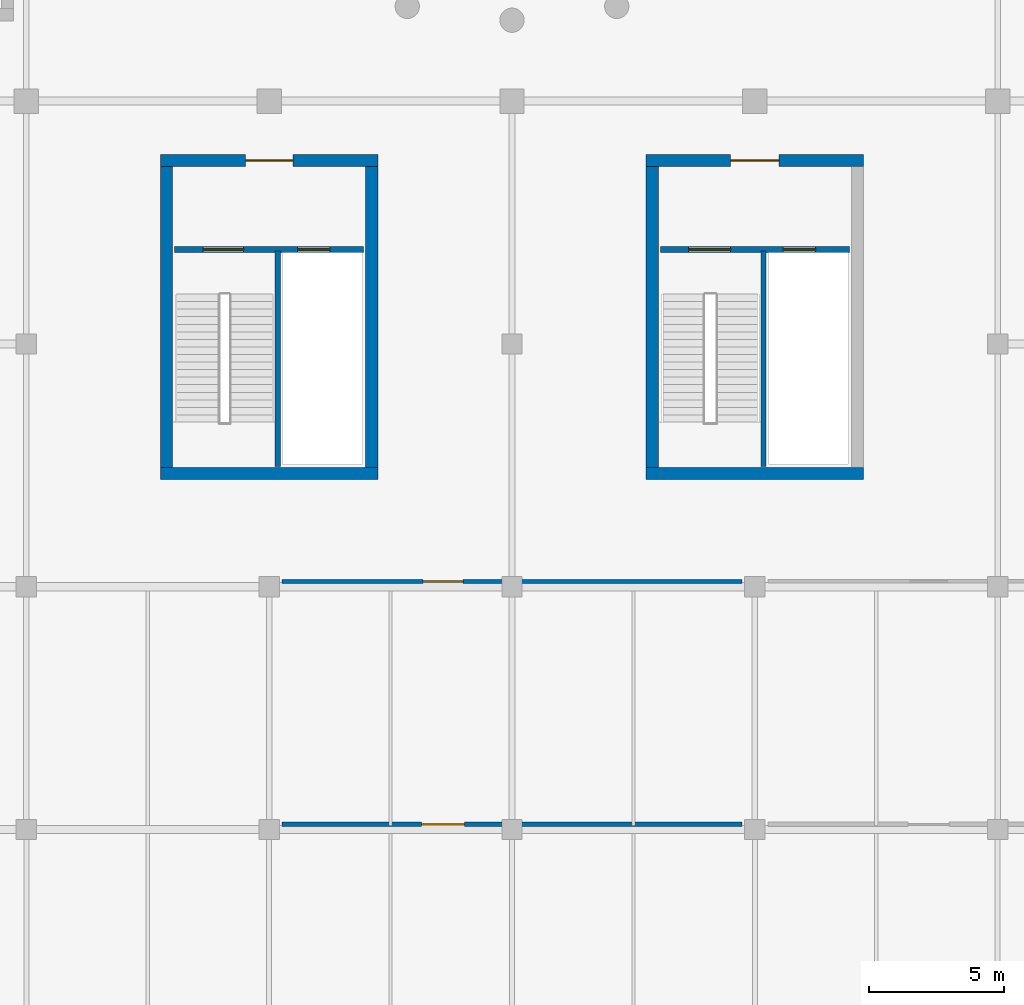
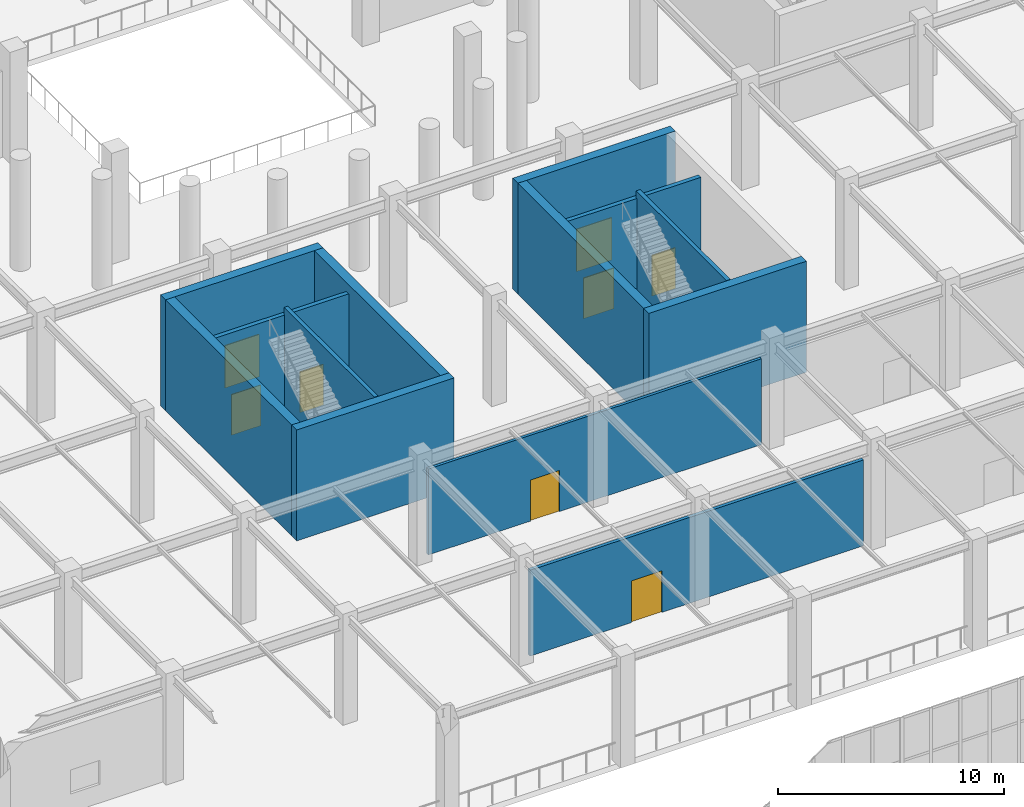
# One storey, part 189 of 223: 13 walls, 8 doors, 8 openings.
"""IFC4 building model written with IfcOpenShell, lengths in metres."""

import ifcopenshell
import ifcopenshell.guid

model = None  # the IFC model being written
_history = None  # IfcOwnerHistory: only IFC2X3 demands one
_inside = {}  # id of a spatial element -> (the spatial element, [elements in it])
_under = {}  # id of a project, library or spatial element -> (it, [spatial elements below it])
_declared = {}  # id of a project -> (the project, [libraries it declares])
_typed = {}  # id of a type object -> (the type object, [elements of that type])
_made_of = {}  # id of a material, layer set ... -> (it, [elements and type objects made of it])


def new_model(schema):
    """Start an empty IFC model of exactly this schema.

    Asked for "IFC4X3", IfcOpenShell would pick the latest addendum, in which some entities
    have other attributes; the version numbers below select the first issue.
    IFC2X3 requires an IfcOwnerHistory on every rooted entity: one is made here for all.
    """
    global model, _history
    if schema == "IFC4X3":
        model = ifcopenshell.file(schema_version=(4, 3, 0, 0))
    else:
        model = ifcopenshell.file(schema=schema)
    _inside.clear()
    _under.clear()
    _declared.clear()
    _typed.clear()
    _made_of.clear()
    _history = None
    if model.schema == "IFC2X3":
        org = make("IfcOrganization", Name="unknown")
        user = make(
            "IfcPersonAndOrganization",
            ThePerson=make("IfcPerson", FamilyName="unknown"),
            TheOrganization=org,
        )
        app = make(
            "IfcApplication",
            ApplicationDeveloper=org,
            Version="unknown",
            ApplicationFullName="unknown",
            ApplicationIdentifier="unknown",
        )
        _history = make(
            "IfcOwnerHistory",
            OwningUser=user,
            OwningApplication=app,
            ChangeAction="ADDED",
            CreationDate=0,
        )
    return model


def make(cls, **values):
    """One entity of the class cls with the attributes given. An attribute that is None is left unset."""
    return model.create_entity(
        cls, **{name: value for name, value in values.items() if value is not None}
    )


def rooted(cls, **values):
    """An entity with a GlobalId (a new one), such as an element, a storey or a relation."""
    return make(cls, GlobalId=ifcopenshell.guid.new(), OwnerHistory=_history, **values)


def si_unit(unit_type, name, prefix=None):
    """IfcSIUnit, for example si_unit("LENGTHUNIT", "METRE", prefix="MILLI")."""
    return make("IfcSIUnit", UnitType=unit_type, Prefix=prefix, Name=name)


def assignment(units):
    """IfcUnitAssignment: the units of a project."""
    return None if units is None else make("IfcUnitAssignment", Units=units)


def point(xyz):
    """IfcCartesianPoint."""
    return None if xyz is None else make("IfcCartesianPoint", Coordinates=xyz)


def direction(xyz):
    """IfcDirection."""
    return None if xyz is None else make("IfcDirection", DirectionRatios=xyz)


def frame(location, z_axis=None, x_axis=None):
    """IfcAxis2Placement3D, a coordinate frame: its origin and axes. An axis left out is left unset."""
    return make(
        "IfcAxis2Placement3D",
        Location=point(location),
        Axis=direction(z_axis),
        RefDirection=direction(x_axis),
    )


def frame_2d(location, x_axis=None):
    """IfcAxis2Placement2D, a coordinate frame in the plane: its origin and x axis."""
    return make(
        "IfcAxis2Placement2D", Location=point(location), RefDirection=direction(x_axis)
    )


def origin():
    """The frame at (0, 0, 0) with its axes left unset."""
    return frame((0.0, 0.0, 0.0))


def place(relative_to, where):
    """IfcLocalPlacement: puts the frame where relative to a parent placement (None: the world)."""
    return make(
        "IfcLocalPlacement", PlacementRelTo=relative_to, RelativePlacement=where
    )


def context(
    kind, dimensions, precision=None, world=None, true_north=None, identifier=None
):
    """IfcGeometricRepresentationContext, for example the 3D "Model" context."""
    return make(
        "IfcGeometricRepresentationContext",
        ContextIdentifier=identifier,
        ContextType=kind,
        CoordinateSpaceDimension=dimensions,
        Precision=precision,
        WorldCoordinateSystem=world,
        TrueNorth=true_north,
    )


def subcontext(parent, identifier, kind, view, scale=None):
    """IfcGeometricRepresentationSubContext, for example "Body" below "Model"."""
    return make(
        "IfcGeometricRepresentationSubContext",
        ContextIdentifier=identifier,
        ContextType=kind,
        ParentContext=parent,
        TargetScale=scale,
        TargetView=view,
    )


def project(units=None, contexts=None):
    """IfcProject with its units and contexts."""
    return rooted(
        "IfcProject",
        Name="project",
        RepresentationContexts=contexts,
        UnitsInContext=assignment(units),
    )


def spatial(cls, under=None, at=None, **own):
    """A site, building, storey or space (cls), placed at a placement, below another one or the project."""
    s = rooted(cls, ObjectPlacement=at, **own)
    if under is not None:
        _under.setdefault(under.id(), (under, []))[1].append(s)
    return s


def profile(cls, at=None, kind="AREA", **sizes):
    """A parametric profile (cls). Its sizes go by their IFC names, for example OverallWidth=200.0."""
    return make(cls, ProfileType=kind, Position=at, **sizes)


def rectangle(**sizes):
    """IfcRectangleProfileDef."""
    return profile("IfcRectangleProfileDef", **sizes)


def extrude(swept, where, along, depth):
    """IfcExtrudedAreaSolid: the profile swept, set in the frame where, extruded along a direction by depth."""
    return make(
        "IfcExtrudedAreaSolid",
        SweptArea=swept,
        Position=where,
        ExtrudedDirection=direction(along),
        Depth=depth,
    )


def shape(context_of_items, identifier, shape_type, items):
    """IfcShapeRepresentation: the items that make up one representation, for example the "Body"."""
    return make(
        "IfcShapeRepresentation",
        ContextOfItems=context_of_items,
        RepresentationIdentifier=identifier,
        RepresentationType=shape_type,
        Items=items,
    )


def material(Name=None, Category=None):
    """IfcMaterial."""
    return make("IfcMaterial", Name=Name, Category=Category)


def layer(
    of_material, thickness, ventilated=None, Name=None, Category=None, Priority=None
):
    """IfcMaterialLayer: one layer of a wall or slab, of a material (None: an air gap)."""
    return make(
        "IfcMaterialLayer",
        Material=of_material,
        LayerThickness=thickness,
        IsVentilated=ventilated,
        Name=Name,
        Category=Category,
        Priority=Priority,
    )


def layer_set(layers, Name=None):
    """IfcMaterialLayerSet."""
    return make("IfcMaterialLayerSet", MaterialLayers=layers, LayerSetName=Name)


def made_of(thing, what):
    """Note that an element or type object is made of a material, layer set ...; save() writes the relation."""
    if what is not None:
        _made_of.setdefault(what.id(), (what, []))[1].append(thing)
    return thing


def type_object(cls, material=None, **own):
    """A type object (cls), such as IfcWallType, which elements share."""
    return made_of(rooted(cls, **own), material)


def element(
    cls,
    number,
    at=None,
    inside=None,
    cuts=None,
    type_object=None,
    material=None,
    context=None,
    identifier="Body",
    shape_type=None,
    held_by="IfcProductDefinitionShape",
    body=None,
    shapes=None,
    **own,
):
    """One element of the class cls, such as IfcWall. Its Tag is "e" and its number.

    at: its placement. inside: the storey or other place that contains it. cuts: it is an
    opening in that element (IfcRelVoidsElement). A single representation is given by context,
    identifier, shape_type and body (its items); several are given by shapes. held_by: the class
    of the entity that holds the representations. save() writes the other relations.
    """
    e = rooted(cls, Tag="e%d" % number, ObjectPlacement=at, **own)
    if body is not None:
        shapes = [shape(context, identifier, shape_type, body)]
    if shapes is not None:
        e.Representation = make(held_by, Representations=shapes)
    if inside is not None:
        _inside.setdefault(inside.id(), (inside, []))[1].append(e)
    if cuts is not None:
        rooted(
            "IfcRelVoidsElement", RelatingBuildingElement=cuts, RelatedOpeningElement=e
        )
    if type_object is not None:
        _typed.setdefault(type_object.id(), (type_object, []))[1].append(e)
    return made_of(e, material)


def fill(opening, filler):
    """IfcRelFillsElement: the door or window that sits in an opening."""
    return rooted(
        "IfcRelFillsElement",
        RelatingOpeningElement=opening,
        RelatedBuildingElement=filler,
    )


def aggregate(whole, parts):
    """IfcRelAggregates: a whole, such as a stair, and the parts it consists of."""
    return rooted("IfcRelAggregates", RelatingObject=whole, RelatedObjects=parts)


def save(model, path):
    """Write the relations noted so far, then the file.

    IfcRelAggregates (storeys below a building ...), IfcRelContainedInSpatialStructure (elements
    in a storey), IfcRelDefinesByType, IfcRelAssociatesMaterial and IfcRelDeclares: one each for
    every whole, place, type object, material and project.
    """
    for whole, parts in _under.values():
        aggregate(whole, parts)
    for where, things in _inside.values():
        rooted(
            "IfcRelContainedInSpatialStructure",
            RelatedElements=things,
            RelatingStructure=where,
        )
    for kind, things in _typed.values():
        rooted("IfcRelDefinesByType", RelatedObjects=things, RelatingType=kind)
    for what, things in _made_of.values():
        rooted("IfcRelAssociatesMaterial", RelatedObjects=things, RelatingMaterial=what)
    for by, libraries in _declared.values():
        rooted("IfcRelDeclares", RelatingContext=by, RelatedDefinitions=libraries)
    model.write(path)


model = new_model("IFC4")

# Units and contexts
model_context = context("Model", 3, precision=1e-05, world=origin(), true_north=direction((0.0, 1.0)))
body_context = subcontext(model_context, "Body", "Model", "MODEL_VIEW")
ifc_project = project(units=[si_unit("LENGTHUNIT", "METRE"), si_unit("AREAUNIT", "SQUARE_METRE"), si_unit("VOLUMEUNIT", "CUBIC_METRE"), si_unit("PLANEANGLEUNIT", "RADIAN"), si_unit("MASSUNIT", "GRAM", prefix="KILO")], contexts=[model_context])

# Site, building, storey
site_placement = place(None, origin())
site = spatial("IfcSite", under=ifc_project, at=site_placement, CompositionType="ELEMENT")
building_placement = place(site_placement, origin())
building = spatial("IfcBuilding", under=site, at=building_placement, Name="Dornveld Trade and Exhibition Forum", CompositionType="ELEMENT")
storey_placement = place(building_placement, frame((0.0, 0.0, 6.0)))
storey = spatial("IfcBuildingStorey", under=building, at=storey_placement, Name="L01", CompositionType="ELEMENT", Elevation=6.0)

# Wall
ifc_material_1 = material(Name="Concrete C40/50", Category="concrete")
ifc_layer_1 = layer(ifc_material_1, 0.449951171875)
ifc_layer_set_1 = layer_set([ifc_layer_1], Name="Concrete C40/50")
wall_type_1 = type_object("IfcWallType", Name="WL-CORE-450", PredefinedType="SHEAR", material=ifc_layer_set_1)
wall_1_placement = place(storey_placement, frame((103.97509765625, 49.199951171875, 0.0), z_axis=(0.0, 0.0, 1.0), x_axis=(1.0, 0.0, 0.0)))
element("IfcWall", 1, at=wall_1_placement, inside=storey, type_object=wall_type_1, Name="CORE-06 L01 shear wall S", PredefinedType="SHEAR", context=body_context, shape_type="SweptSolid", body=[
    extrude(rectangle(XDim=8.0498046875, YDim=0.449951171875, at=frame_2d((4.02490234375, 0.0))), origin(), (0.0, 0.0, 1.0), 6.0),
])

# Wall, opening, door
wall_2_placement = place(storey_placement, frame((103.97509765625, 60.800048828125, 0.0), z_axis=(0.0, 0.0, 1.0), x_axis=(1.0, 0.0, 0.0)))
wall_2 = element("IfcWall", 2, at=wall_2_placement, inside=storey, type_object=wall_type_1, Name="CORE-06 L01 shear wall N", PredefinedType="SHEAR", context=body_context, shape_type="SweptSolid", body=[
    extrude(rectangle(XDim=8.0498046875, YDim=0.449951171875, at=frame_2d((4.02490234375, 0.0))), origin(), (0.0, 0.0, 1.0), 6.0),
])
opening_1_placement = place(wall_2_placement, frame((3.14990234375, 0.0, 0.0)))
opening_1 = element("IfcOpeningElement", 3, at=opening_1_placement, cuts=wall_2, Name="Opening CD-06-L01", PredefinedType="OPENING", context=body_context, shape_type="SweptSolid", body=[
    extrude(rectangle(XDim=1.75, YDim=2.300048828125, at=frame_2d((0.875, 1.14990234375))), frame((0.0, 0.23486328125, 0.0), z_axis=(0.0, -1.0, 0.0), x_axis=(1.0, 0.0, 0.0)), (0.0, 0.0, 1.0), 0.469970703125),
])
ifc_material_2 = material(Name="Steel fire-rated double door assembly", Category="steel")
door_type_1 = type_object("IfcDoorType", Name="DR-CORE-175x230", OperationType="NOTDEFINED", PredefinedType="DOOR", material=ifc_material_2)
door_1_placement = place(opening_1_placement, origin())
door_1 = element("IfcDoor", 4, at=door_1_placement, inside=storey, type_object=door_type_1, Name="CORE-06 L01 core lobby double fire door", OperationType="DOUBLE_DOOR_SINGLE_SWING", OverallHeight=2.300048828125, OverallWidth=1.75, PredefinedType="DOOR", context=body_context, shape_type="SweptSolid", body=[
    extrude(rectangle(XDim=1.75, YDim=2.300048828125, at=frame_2d((0.875, 1.14990234375))), frame((0.0, 0.02490234375, 0.0), z_axis=(0.0, -1.0, 0.0), x_axis=(1.0, 0.0, 0.0)), (0.0, 0.0, 1.0), 0.050048828125),
])
fill(opening_1, door_1)

# Walls
for number, where, z_axis, x_axis, name in (
    (5, (104.199951171875, 49.425048828125, 0.0), (0.0, 0.0, 1.0), (0.0, 1.0, 0.0), "CORE-06 L01 shear wall W"),
    (6, (111.800048828125, 49.425048828125, 0.0), (0.0, 0.0, 1.0), (0.0, 1.0, 0.0), "CORE-06 L01 shear wall E"),
):
    element("IfcWall", number, at=place(storey_placement, frame(where, z_axis=z_axis, x_axis=x_axis)), inside=storey, type_object=wall_type_1, Name=name, PredefinedType="SHEAR", context=body_context, shape_type="SweptSolid", body=[
        extrude(rectangle(XDim=11.14990234375, YDim=0.449951171875, at=frame_2d((5.574951171875, 0.0))), origin(), (0.0, 0.0, 1.0), 6.0),
    ])
wall_3_placement = place(storey_placement, frame((121.97509765625, 49.199951171875, 0.0), z_axis=(0.0, 0.0, 1.0), x_axis=(1.0, 0.0, 0.0)))
element("IfcWall", 7, at=wall_3_placement, inside=storey, type_object=wall_type_1, Name="CORE-07 L01 shear wall S", PredefinedType="SHEAR", context=body_context, shape_type="SweptSolid", body=[
    extrude(rectangle(XDim=8.0498046875, YDim=0.449951171875, at=frame_2d((4.02490234375, 0.0))), origin(), (0.0, 0.0, 1.0), 6.0),
])

# Wall, opening, door
wall_4_placement = place(storey_placement, frame((121.97509765625, 60.800048828125, 0.0), z_axis=(0.0, 0.0, 1.0), x_axis=(1.0, 0.0, 0.0)))
wall_4 = element("IfcWall", 8, at=wall_4_placement, inside=storey, type_object=wall_type_1, Name="CORE-07 L01 shear wall N", PredefinedType="SHEAR", context=body_context, shape_type="SweptSolid", body=[
    extrude(rectangle(XDim=8.0498046875, YDim=0.449951171875, at=frame_2d((4.02490234375, 0.0))), origin(), (0.0, 0.0, 1.0), 6.0),
])
opening_2_placement = place(wall_4_placement, frame((3.125, 0.0, 0.0)))
opening_2 = element("IfcOpeningElement", 9, at=opening_2_placement, cuts=wall_4, Name="Opening CD-07-L01", PredefinedType="OPENING", context=body_context, shape_type="SweptSolid", body=[
    extrude(rectangle(XDim=1.800048828125, YDim=2.300048828125, at=frame_2d((0.89990234375, 1.14990234375))), frame((0.0, 0.23486328125, 0.0), z_axis=(0.0, -1.0, 0.0), x_axis=(1.0, 0.0, 0.0)), (0.0, 0.0, 1.0), 0.469970703125),
])
ifc_material_3 = material(Name="Steel fire-rated double door assembly", Category="steel")
door_type_2 = type_object("IfcDoorType", Name="DR-CORE-180x230", OperationType="NOTDEFINED", PredefinedType="DOOR", material=ifc_material_3)
door_2_placement = place(opening_2_placement, origin())
door_2 = element("IfcDoor", 10, at=door_2_placement, inside=storey, type_object=door_type_2, Name="CORE-07 L01 core lobby double fire door", OperationType="DOUBLE_DOOR_SINGLE_SWING", OverallHeight=2.300048828125, OverallWidth=1.800048828125, PredefinedType="DOOR", context=body_context, shape_type="SweptSolid", body=[
    extrude(rectangle(XDim=1.800048828125, YDim=2.300048828125, at=frame_2d((0.89990234375, 1.14990234375))), frame((0.0, 0.02490234375, 0.0), z_axis=(0.0, -1.0, 0.0), x_axis=(1.0, 0.0, 0.0)), (0.0, 0.0, 1.0), 0.050048828125),
])
fill(opening_2, door_2)

# Wall
wall_5_placement = place(storey_placement, frame((122.199951171875, 49.425048828125, 0.0), z_axis=(0.0, 0.0, 1.0), x_axis=(0.0, 1.0, 0.0)))
element("IfcWall", 11, at=wall_5_placement, inside=storey, type_object=wall_type_1, Name="CORE-07 L01 shear wall W", PredefinedType="SHEAR", context=body_context, shape_type="SweptSolid", body=[
    extrude(rectangle(XDim=11.14990234375, YDim=0.449951171875, at=frame_2d((5.574951171875, 0.0))), origin(), (0.0, 0.0, 1.0), 6.0),
])

# Wall, opening, door
ifc_material_4 = material(Name="Fire-rated steel-stud gypsum board", Category="steel")
ifc_layer_2 = layer(ifc_material_4, 0.169921875)
ifc_layer_set_2 = layer_set([ifc_layer_2], Name="Fire-rated steel-stud gypsum board")
wall_type_2 = type_object("IfcWallType", Name="WL-INT-FR170", PredefinedType="PARTITIONING", material=ifc_layer_set_2)
wall_6_placement = place(storey_placement, frame((108.47998046875, 36.199951171875, 0.0), z_axis=(0.0, 0.0, 1.0), x_axis=(1.0, 0.0, 0.0)))
wall_6 = element("IfcWall", 12, at=wall_6_placement, inside=storey, type_object=wall_type_2, Name="L01 interior partition 102", PredefinedType="PARTITIONING", context=body_context, shape_type="SweptSolid", body=[
    extrude(rectangle(XDim=17.0400390625, YDim=0.169921875, at=frame_2d((8.52001953125, 0.0))), origin(), (0.0, 0.0, 1.0), 4.639892578125),
])
opening_3_placement = place(wall_6_placement, frame((5.174072265625, 0.0, 0.0)))
opening_3 = element("IfcOpeningElement", 13, at=opening_3_placement, cuts=wall_6, Name="Opening MSD-06-067", PredefinedType="OPENING", context=body_context, shape_type="SweptSolid", body=[
    extrude(rectangle(XDim=1.580078125, YDim=2.25, at=frame_2d((0.7900390625, 1.125))), frame((0.0, 0.094970703125, 0.0), z_axis=(0.0, -1.0, 0.0), x_axis=(1.0, 0.0, 0.0)), (0.0, 0.0, 1.0), 0.18994140625),
])
ifc_material_5 = material(Name="Acoustic seminar double door", Category="wood")
door_type_3 = type_object("IfcDoorType", Name="DR-SUB-158x225", OperationType="NOTDEFINED", PredefinedType="DOOR", material=ifc_material_5)
door_3_placement = place(opening_3_placement, origin())
door_3 = element("IfcDoor", 14, at=door_3_placement, inside=storey, type_object=door_type_3, Name="L01 interior room door 67", OperationType="SINGLE_SWING_LEFT", OverallHeight=2.25, OverallWidth=1.580078125, PredefinedType="DOOR", context=body_context, shape_type="SweptSolid", body=[
    extrude(rectangle(XDim=1.580078125, YDim=2.25, at=frame_2d((0.7900390625, 1.125))), frame((0.0, 0.02490234375, 0.0), z_axis=(0.0, -1.0, 0.0), x_axis=(1.0, 0.0, 0.0)), (0.0, 0.0, 1.0), 0.050048828125),
])
fill(opening_3, door_3)

# Wall, openings, doors
ifc_material_6 = material(Name="Concrete C40/50", Category="concrete")
ifc_layer_3 = layer(ifc_material_6, 0.219970703125)
ifc_layer_set_3 = layer_set([ifc_layer_3], Name="Concrete C40/50")
wall_type_3 = type_object("IfcWallType", Name="WL-INT-LOB220", PredefinedType="SOLIDWALL", material=ifc_layer_set_3)
wall_7_placement = place(storey_placement, frame((104.5, 57.5, 0.0), z_axis=(0.0, 0.0, 1.0), x_axis=(1.0, 0.0, 0.0)))
wall_7 = element("IfcWall", 15, at=wall_7_placement, inside=storey, type_object=wall_type_3, Name="CORE-06 L01 protected lobby bulkhead wall", PredefinedType="SOLIDWALL", context=body_context, shape_type="SweptSolid", body=[
    extrude(rectangle(XDim=7.0, YDim=0.219970703125, at=frame_2d((3.5, 0.0))), origin(), (0.0, 0.0, 1.0), 5.6201171875),
])
opening_4_placement = place(wall_7_placement, frame((1.050048828125, 0.0, 0.0)))
opening_4 = element("IfcOpeningElement", 16, at=opening_4_placement, cuts=wall_7, Name="Opening SD-06-L01", PredefinedType="OPENING", context=body_context, shape_type="SweptSolid", body=[
    extrude(rectangle(XDim=1.5, YDim=2.199951171875, at=frame_2d((0.75, 1.10009765625))), frame((0.0, 0.119873046875, 0.0), z_axis=(0.0, -1.0, 0.0), x_axis=(1.0, 0.0, 0.0)), (0.0, 0.0, 1.0), 0.239990234375),
])
opening_5_placement = place(wall_7_placement, frame((4.550048828125, 0.0, 0.0)))
opening_5 = element("IfcOpeningElement", 17, at=opening_5_placement, cuts=wall_7, Name="Opening LD-06-L01", PredefinedType="OPENING", context=body_context, shape_type="SweptSolid", body=[
    extrude(rectangle(XDim=1.199951171875, YDim=2.199951171875, at=frame_2d((0.60009765625, 1.10009765625))), frame((0.0, 0.119873046875, 0.0), z_axis=(0.0, -1.0, 0.0), x_axis=(1.0, 0.0, 0.0)), (0.0, 0.0, 1.0), 0.239990234375),
])
ifc_material_7 = material(Name="Brushed stainless steel sliding lift landing door", Category="steel")
door_type_4 = type_object("IfcDoorType", Name="DR-LIFT-120x220", OperationType="NOTDEFINED", PredefinedType="DOOR", material=ifc_material_7)
door_4_placement = place(opening_5_placement, origin())
door_4 = element("IfcDoor", 18, at=door_4_placement, inside=storey, type_object=door_type_4, Name="CORE-06 L01 lift sliding landing door", OperationType="SLIDING_TO_RIGHT", OverallHeight=2.199951171875, OverallWidth=1.199951171875, PredefinedType="DOOR", context=body_context, shape_type="SweptSolid", body=[
    extrude(rectangle(XDim=1.199951171875, YDim=2.199951171875, at=frame_2d((0.60009765625, 1.10009765625))), frame((0.0, 0.02490234375, 0.0), z_axis=(0.0, -1.0, 0.0), x_axis=(1.0, 0.0, 0.0)), (0.0, 0.0, 1.0), 0.050048828125),
])
fill(opening_5, door_4)
ifc_material_8 = material(Name="Steel fire-rated stair door assembly", Category="steel")
door_type_5 = type_object("IfcDoorType", Name="DR-STAIR-150x220", OperationType="NOTDEFINED", PredefinedType="DOOR", material=ifc_material_8)
door_5_placement = place(opening_4_placement, origin())
door_5 = element("IfcDoor", 19, at=door_5_placement, inside=storey, type_object=door_type_5, Name="CORE-06 L01 protected stair door", OperationType="SINGLE_SWING_RIGHT", OverallHeight=2.199951171875, OverallWidth=1.5, PredefinedType="DOOR", context=body_context, shape_type="SweptSolid", body=[
    extrude(rectangle(XDim=1.5, YDim=2.199951171875, at=frame_2d((0.75, 1.10009765625))), frame((0.0, 0.02490234375, 0.0), z_axis=(0.0, -1.0, 0.0), x_axis=(1.0, 0.0, 0.0)), (0.0, 0.0, 1.0), 0.050048828125),
])
fill(opening_4, door_5)

wall_8_placement = place(storey_placement, frame((122.5, 57.5, 0.0), z_axis=(0.0, 0.0, 1.0), x_axis=(1.0, 0.0, 0.0)))
wall_8 = element("IfcWall", 20, at=wall_8_placement, inside=storey, type_object=wall_type_3, Name="CORE-07 L01 protected lobby bulkhead wall", PredefinedType="SOLIDWALL", context=body_context, shape_type="SweptSolid", body=[
    extrude(rectangle(XDim=7.0, YDim=0.219970703125, at=frame_2d((3.5, 0.0))), origin(), (0.0, 0.0, 1.0), 5.6201171875),
])
opening_6_placement = place(wall_8_placement, frame((1.050048828125, 0.0, 0.0)))
opening_6 = element("IfcOpeningElement", 21, at=opening_6_placement, cuts=wall_8, Name="Opening SD-07-L01", PredefinedType="OPENING", context=body_context, shape_type="SweptSolid", body=[
    extrude(rectangle(XDim=1.550048828125, YDim=2.199951171875, at=frame_2d((0.77490234375, 1.10009765625))), frame((0.0, 0.119873046875, 0.0), z_axis=(0.0, -1.0, 0.0), x_axis=(1.0, 0.0, 0.0)), (0.0, 0.0, 1.0), 0.239990234375),
])
opening_7_placement = place(wall_8_placement, frame((4.550048828125, 0.0, 0.0)))
opening_7 = element("IfcOpeningElement", 22, at=opening_7_placement, cuts=wall_8, Name="Opening LD-07-L01", PredefinedType="OPENING", context=body_context, shape_type="SweptSolid", body=[
    extrude(rectangle(XDim=1.199951171875, YDim=2.199951171875, at=frame_2d((0.60009765625, 1.10009765625))), frame((0.0, 0.119873046875, 0.0), z_axis=(0.0, -1.0, 0.0), x_axis=(1.0, 0.0, 0.0)), (0.0, 0.0, 1.0), 0.239990234375),
])
door_6_placement = place(opening_7_placement, origin())
door_6 = element("IfcDoor", 23, at=door_6_placement, inside=storey, type_object=door_type_4, Name="CORE-07 L01 lift sliding landing door", OperationType="SLIDING_TO_LEFT", OverallHeight=2.199951171875, OverallWidth=1.199951171875, PredefinedType="DOOR", context=body_context, shape_type="SweptSolid", body=[
    extrude(rectangle(XDim=1.199951171875, YDim=2.199951171875, at=frame_2d((0.60009765625, 1.10009765625))), frame((0.0, 0.02490234375, 0.0), z_axis=(0.0, -1.0, 0.0), x_axis=(1.0, 0.0, 0.0)), (0.0, 0.0, 1.0), 0.050048828125),
])
fill(opening_7, door_6)
ifc_material_9 = material(Name="Steel fire-rated stair door assembly", Category="steel")
door_type_6 = type_object("IfcDoorType", Name="DR-STAIR-155x220", OperationType="NOTDEFINED", PredefinedType="DOOR", material=ifc_material_9)
door_7_placement = place(opening_6_placement, origin())
door_7 = element("IfcDoor", 24, at=door_7_placement, inside=storey, type_object=door_type_6, Name="CORE-07 L01 protected stair door", OperationType="SINGLE_SWING_LEFT", OverallHeight=2.199951171875, OverallWidth=1.550048828125, PredefinedType="DOOR", context=body_context, shape_type="SweptSolid", body=[
    extrude(rectangle(XDim=1.550048828125, YDim=2.199951171875, at=frame_2d((0.77490234375, 1.10009765625))), frame((0.0, 0.02490234375, 0.0), z_axis=(0.0, -1.0, 0.0), x_axis=(1.0, 0.0, 0.0)), (0.0, 0.0, 1.0), 0.050048828125),
])
fill(opening_6, door_7)

# Walls
ifc_material_10 = material(Name="Concrete C40/50", Category="concrete")
ifc_layer_4 = layer(ifc_material_10, 0.199951171875)
ifc_layer_set_4 = layer_set([ifc_layer_4], Name="Concrete C40/50")
wall_type_4 = type_object("IfcWallType", Name="WL-INT-SHAFT200", PredefinedType="SOLIDWALL", material=ifc_layer_set_4)
for number, where, z_axis, x_axis, name in (
    (25, (108.320068359375, 49.449951171875, 0.0), (0.0, 0.0, 1.0), (0.0, 1.0, 0.0), "CORE-06 L01 lift-stair structural shaft wall"),
    (26, (126.320068359375, 49.449951171875, 0.0), (0.0, 0.0, 1.0), (0.0, 1.0, 0.0), "CORE-07 L01 lift-stair structural shaft wall"),
):
    element("IfcWall", number, at=place(storey_placement, frame(where, z_axis=z_axis, x_axis=x_axis)), inside=storey, type_object=wall_type_4, Name=name, PredefinedType="SOLIDWALL", context=body_context, shape_type="SweptSolid", body=[
        extrude(rectangle(XDim=8.0, YDim=0.199951171875, at=frame_2d((4.0, 0.0))), origin(), (0.0, 0.0, 1.0), 6.0),
    ])

# Wall, opening, door
ifc_material_11 = material(Name="Steel-stud gypsum partition", Category="steel")
ifc_layer_5 = layer(ifc_material_11, 0.14501953125)
ifc_layer_set_5 = layer_set([ifc_layer_5], Name="Steel-stud gypsum partition")
wall_type_5 = type_object("IfcWallType", Name="WL-INT-ST145", PredefinedType="PARTITIONING", material=ifc_layer_set_5)
wall_9_placement = place(storey_placement, frame((108.47998046875, 45.199951171875, 0.0), z_axis=(0.0, 0.0, 1.0), x_axis=(1.0, 0.0, 0.0)))
wall_9 = element("IfcWall", 27, at=wall_9_placement, inside=storey, type_object=wall_type_5, Name="L01 interior partition 104", PredefinedType="PARTITIONING", context=body_context, shape_type="SweptSolid", body=[
    extrude(rectangle(XDim=17.0400390625, YDim=0.14501953125, at=frame_2d((8.52001953125, 0.0))), origin(), (0.0, 0.0, 1.0), 4.639892578125),
])
opening_8_placement = place(wall_9_placement, frame((5.22412109375, 0.0, 0.0)))
opening_8 = element("IfcOpeningElement", 28, at=opening_8_placement, cuts=wall_9, Name="Opening MSD-08-069", PredefinedType="OPENING", context=body_context, shape_type="SweptSolid", body=[
    extrude(rectangle(XDim=1.47998046875, YDim=2.219970703125, at=frame_2d((0.739990234375, 1.10986328125))), frame((0.0, 0.08251953125, 0.0), z_axis=(0.0, -1.0, 0.0), x_axis=(1.0, 0.0, 0.0)), (0.0, 0.0, 1.0), 0.1650390625),
])
ifc_material_12 = material(Name="Solid-core administration door", Category="wood")
door_type_7 = type_object("IfcDoorType", Name="DR-SUB-148x222", OperationType="NOTDEFINED", PredefinedType="DOOR", material=ifc_material_12)
door_8_placement = place(opening_8_placement, origin())
door_8 = element("IfcDoor", 29, at=door_8_placement, inside=storey, type_object=door_type_7, Name="L01 interior room door 69", OperationType="SINGLE_SWING_LEFT", OverallHeight=2.219970703125, OverallWidth=1.47998046875, PredefinedType="DOOR", context=body_context, shape_type="SweptSolid", body=[
    extrude(rectangle(XDim=1.47998046875, YDim=2.219970703125, at=frame_2d((0.739990234375, 1.10986328125))), frame((0.0, 0.02490234375, 0.0), z_axis=(0.0, -1.0, 0.0), x_axis=(1.0, 0.0, 0.0)), (0.0, 0.0, 1.0), 0.050048828125),
])
fill(opening_8, door_8)

save(model, "model.ifc")
